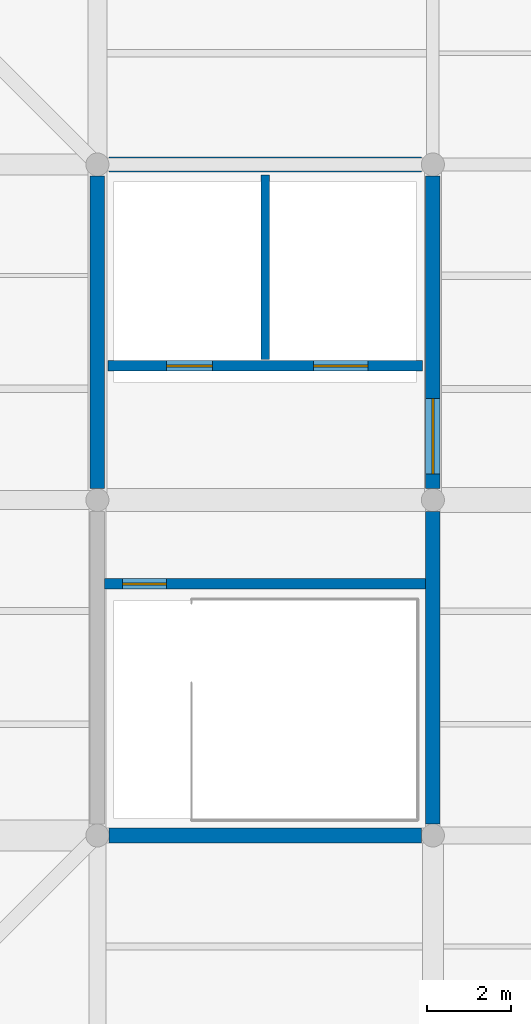
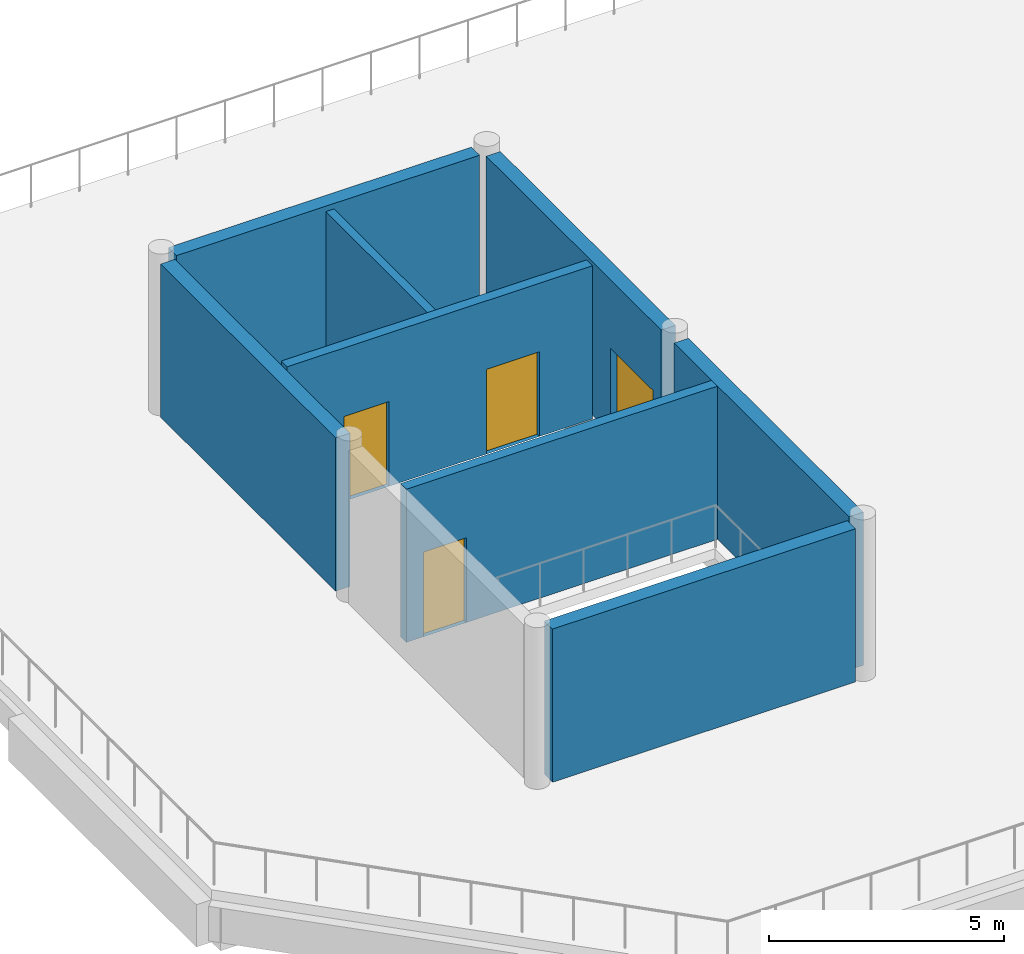
# One storey, part 76 of 84: 8 walls, 4 doors, 4 openings.
"""IFC4 building model written with IfcOpenShell, lengths in metres."""

from ifc_helpers import new_model, si_unit, direction, frame, frame_2d, origin, place, context, subcontext, project, spatial, rectangle, extrude, material, layer, layer_set, type_object, element, fill, save


model = new_model("IFC4")

# Units and contexts
model_context = context("Model", 3, precision=1e-05, world=origin(), true_north=direction((0.0, 1.0)))
body_context = subcontext(model_context, "Body", "Model", "MODEL_VIEW")
ifc_project = project(units=[si_unit("LENGTHUNIT", "METRE"), si_unit("AREAUNIT", "SQUARE_METRE"), si_unit("VOLUMEUNIT", "CUBIC_METRE"), si_unit("PLANEANGLEUNIT", "RADIAN"), si_unit("MASSUNIT", "GRAM", prefix="KILO")], contexts=[model_context])

# Site, building, storey
site_placement = place(None, origin())
site = spatial("IfcSite", under=ifc_project, at=site_placement, CompositionType="ELEMENT")
building_placement = place(site_placement, origin())
building = spatial("IfcBuilding", under=site, at=building_placement, Name="Tenunan Teduh Sports Hall", CompositionType="ELEMENT")
storey_placement = place(building_placement, frame((0.0, 0.0, 10.800048828125)))
storey = spatial("IfcBuildingStorey", under=building, at=storey_placement, Name="L02", CompositionType="ELEMENT", Elevation=10.800048828125)

# Wall, opening, door
ifc_material_1 = material(Name="Concrete C40/50", Category="concrete")
ifc_layer_1 = layer(ifc_material_1, 0.25)
ifc_layer_set_1 = layer_set([ifc_layer_1], Name="Concrete C40/50")
wall_type_1 = type_object("IfcWallType", Name="WL-COR-250", PredefinedType="SOLIDWALL", material=ifc_layer_set_1)
wall_1_placement = place(storey_placement, frame((106.175048828125, 100.0, 0.0), z_axis=(0.0, 0.0, 1.0), x_axis=(1.0, 0.0, 0.0)))
wall_1 = element("IfcWall", 1, at=wall_1_placement, inside=storey, type_object=wall_type_1, Name="WL-COR-L02-187", PredefinedType="SOLIDWALL", context=body_context, shape_type="SweptSolid", body=[
    extrude(rectangle(XDim=7.64990234375, YDim=0.25, at=frame_2d((3.824951171875, 0.0))), origin(), (0.0, 0.0, 1.0), 3.97998046875),
])
opening_1_placement = place(wall_1_placement, frame((0.425048828125, 0.0, 0.0)))
opening_1 = element("IfcOpeningElement", 2, at=opening_1_placement, cuts=wall_1, Name="Opening FD-02", PredefinedType="OPENING", context=body_context, shape_type="SweptSolid", body=[
    extrude(rectangle(XDim=1.050048828125, YDim=2.199951171875, at=frame_2d((0.52490234375, 1.10009765625))), frame((0.0, 0.135009765625, 0.0), z_axis=(0.0, -1.0, 0.0), x_axis=(1.0, 0.0, 0.0)), (0.0, 0.0, 1.0), 0.27001953125),
])
ifc_material_2 = material(Name="Fire-rated steel leaf and frame", Category="steel")
door_type_1 = type_object("IfcDoorType", Name="FDR-02", OperationType="SINGLE_SWING_RIGHT", PredefinedType="DOOR", material=ifc_material_2)
door_1_placement = place(opening_1_placement, frame((1.050048828125, 0.0, 0.0), z_axis=(0.0, 0.0, 1.0), x_axis=(-1.0, 0.0, 0.0)))
door_1 = element("IfcDoor", 3, at=door_1_placement, inside=storey, type_object=door_type_1, Name="DR-INT-L02-074", OperationType="SINGLE_SWING_RIGHT", OverallHeight=2.199951171875, OverallWidth=1.050048828125, PredefinedType="DOOR", context=body_context, shape_type="SweptSolid", body=[
    extrude(rectangle(XDim=1.050048828125, YDim=2.199951171875, at=frame_2d((0.52490234375, 1.10009765625))), frame((0.0, 0.02490234375, 0.0), z_axis=(0.0, -1.0, 0.0), x_axis=(1.0, 0.0, 0.0)), (0.0, 0.0, 1.0), 0.050048828125),
])
fill(opening_1, door_1)

# Wall, openings, doors
wall_2_placement = place(storey_placement, frame((106.25, 105.199951171875, 0.0), z_axis=(0.0, 0.0, 1.0), x_axis=(1.0, 0.0, 0.0)))
wall_2 = element("IfcWall", 4, at=wall_2_placement, inside=storey, type_object=wall_type_1, Name="WL-COR-L02-188", PredefinedType="SOLIDWALL", context=body_context, shape_type="SweptSolid", body=[
    extrude(rectangle(XDim=7.5, YDim=0.25, at=frame_2d((3.75, 0.0))), origin(), (0.0, 0.0, 1.0), 3.97998046875),
])
opening_2_placement = place(wall_2_placement, frame((1.39990234375, 0.0, 0.0)))
opening_2 = element("IfcOpeningElement", 5, at=opening_2_placement, cuts=wall_2, Name="Opening LD-1", PredefinedType="OPENING", context=body_context, shape_type="SweptSolid", body=[
    extrude(rectangle(XDim=1.10009765625, YDim=2.199951171875, at=frame_2d((0.550048828125, 1.10009765625))), frame((0.0, 0.135009765625, 0.0), z_axis=(0.0, -1.0, 0.0), x_axis=(1.0, 0.0, 0.0)), (0.0, 0.0, 1.0), 0.27001953125),
])
opening_3_placement = place(wall_2_placement, frame((4.89990234375, 0.0, 0.0)))
opening_3 = element("IfcOpeningElement", 6, at=opening_3_placement, cuts=wall_2, Name="Opening LD-2", PredefinedType="OPENING", context=body_context, shape_type="SweptSolid", body=[
    extrude(rectangle(XDim=1.300048828125, YDim=2.199951171875, at=frame_2d((0.64990234375, 1.10009765625))), frame((0.0, 0.135009765625, 0.0), z_axis=(0.0, -1.0, 0.0), x_axis=(1.0, 0.0, 0.0)), (0.0, 0.0, 1.0), 0.27001953125),
])
ifc_material_3 = material(Name="Brushed stainless steel landing doors", Category="steel")
door_type_2 = type_object("IfcDoorType", Name="LDR-01", OperationType="DOUBLE_DOOR_SLIDING", PredefinedType="DOOR", material=ifc_material_3)
door_2_placement = place(opening_2_placement, origin())
door_2 = element("IfcDoor", 7, at=door_2_placement, inside=storey, type_object=door_type_2, Name="Lift Landing Door LD-30", OperationType="DOUBLE_DOOR_SLIDING", OverallHeight=2.199951171875, OverallWidth=1.10009765625, PredefinedType="DOOR", context=body_context, shape_type="SweptSolid", body=[
    extrude(rectangle(XDim=1.10009765625, YDim=2.199951171875, at=frame_2d((0.550048828125, 1.10009765625))), frame((0.0, 0.02490234375, 0.0), z_axis=(0.0, -1.0, 0.0), x_axis=(1.0, 0.0, 0.0)), (0.0, 0.0, 1.0), 0.050048828125),
])
fill(opening_2, door_2)
ifc_material_4 = material(Name="Fire-fighting lift stainless landing doors")
door_type_3 = type_object("IfcDoorType", Name="LDR-02", OperationType="DOUBLE_DOOR_SLIDING", PredefinedType="DOOR", material=ifc_material_4)
door_3_placement = place(opening_3_placement, origin())
door_3 = element("IfcDoor", 8, at=door_3_placement, inside=storey, type_object=door_type_3, Name="Lift Landing Door LD-31", OperationType="DOUBLE_DOOR_SLIDING", OverallHeight=2.199951171875, OverallWidth=1.300048828125, PredefinedType="DOOR", context=body_context, shape_type="SweptSolid", body=[
    extrude(rectangle(XDim=1.300048828125, YDim=2.199951171875, at=frame_2d((0.64990234375, 1.10009765625))), frame((0.0, 0.02490234375, 0.0), z_axis=(0.0, -1.0, 0.0), x_axis=(1.0, 0.0, 0.0)), (0.0, 0.0, 1.0), 0.050048828125),
])
fill(opening_3, door_3)

# Walls
ifc_material_5 = material(Name="Autoclaved aerated concrete blockwork", Category="masonry")
ifc_layer_2 = layer(ifc_material_5, 0.199951171875)
ifc_layer_set_2 = layer_set([ifc_layer_2], Name="Autoclaved aerated concrete blockwork")
wall_type_2 = type_object("IfcWallType", Name="WL-PRT-200", PredefinedType="PARTITIONING", material=ifc_layer_set_2)
wall_3_placement = place(storey_placement, frame((110.0, 105.35009765625, 0.0), z_axis=(0.0, 0.0, 1.0), x_axis=(0.0, 1.0, 0.0)))
element("IfcWall", 9, at=wall_3_placement, inside=storey, type_object=wall_type_2, Name="WL-PRT-L02-189", PredefinedType="PARTITIONING", context=body_context, shape_type="SweptSolid", body=[
    extrude(rectangle(XDim=4.39990234375, YDim=0.199951171875, at=frame_2d((2.199951171875, 0.0))), origin(), (0.0, 0.0, 1.0), 3.89990234375),
])
ifc_material_6 = material(Name="Concrete C40/50", Category="concrete")
ifc_layer_3 = layer(ifc_material_6, 0.35009765625)
ifc_layer_set_3 = layer_set([ifc_layer_3], Name="Concrete C40/50")
wall_type_3 = type_object("IfcWallType", Name="WL-SHR-350", PredefinedType="SHEAR", material=ifc_layer_set_3)
for number, where, z_axis, x_axis, name in (
    (10, (106.27490234375, 94.0, 0.0), (0.0, 0.0, 1.0), (1.0, 0.0, 0.0), "WL-COR-L02-181"),
    (11, (106.27490234375, 110.0, 0.0), (0.0, 0.0, 1.0), (1.0, 0.0, 0.0), "WL-COR-L02-182"),
    (12, (106.0, 102.27490234375, 0.0), (0.0, 0.0, 1.0), (0.0, 1.0, 0.0), "WL-COR-L02-184"),
    (13, (114.0, 94.27490234375, 0.0), (0.0, 0.0, 1.0), (0.0, 1.0, 0.0), "WL-COR-L02-185"),
):
    element("IfcWall", number, at=place(storey_placement, frame(where, z_axis=z_axis, x_axis=x_axis)), inside=storey, type_object=wall_type_3, Name=name, PredefinedType="SHEAR", context=body_context, shape_type="SweptSolid", body=[
        extrude(rectangle(XDim=7.4501953125, YDim=0.35009765625, at=frame_2d((3.72509765625, 0.0))), origin(), (0.0, 0.0, 1.0), 3.97998046875),
    ])

# Wall, opening, door
wall_4_placement = place(storey_placement, frame((114.0, 102.27490234375, 0.0), z_axis=(0.0, 0.0, 1.0), x_axis=(0.0, 1.0, 0.0)))
wall_4 = element("IfcWall", 14, at=wall_4_placement, inside=storey, type_object=wall_type_3, Name="WL-COR-L02-186", PredefinedType="SHEAR", context=body_context, shape_type="SweptSolid", body=[
    extrude(rectangle(XDim=7.4501953125, YDim=0.35009765625, at=frame_2d((3.72509765625, 0.0))), origin(), (0.0, 0.0, 1.0), 3.97998046875),
])
opening_4_placement = place(wall_4_placement, frame((0.35009765625, 0.0, 0.0)))
opening_4 = element("IfcOpeningElement", 15, at=opening_4_placement, cuts=wall_4, Name="Opening FD-03", PredefinedType="OPENING", context=body_context, shape_type="SweptSolid", body=[
    extrude(rectangle(XDim=1.800048828125, YDim=2.199951171875, at=frame_2d((0.89990234375, 1.10009765625))), frame((0.0, 0.18505859375, 0.0), z_axis=(0.0, -1.0, 0.0), x_axis=(1.0, 0.0, 0.0)), (0.0, 0.0, 1.0), 0.3701171875),
])
ifc_material_7 = material(Name="Fire-rated hardwood pair", Category="wood")
door_type_4 = type_object("IfcDoorType", Name="FDR-03", OperationType="DOUBLE_DOOR_SINGLE_SWING", PredefinedType="DOOR", material=ifc_material_7)
door_4_placement = place(opening_4_placement, frame((1.800048828125, 0.0, 0.0), z_axis=(0.0, 0.0, 1.0), x_axis=(-1.0, 0.0, 0.0)))
door_4 = element("IfcDoor", 16, at=door_4_placement, inside=storey, type_object=door_type_4, Name="DR-INT-L02-073", OperationType="DOUBLE_DOOR_SINGLE_SWING", OverallHeight=2.199951171875, OverallWidth=1.800048828125, PredefinedType="DOOR", context=body_context, shape_type="SweptSolid", body=[
    extrude(rectangle(XDim=1.800048828125, YDim=2.199951171875, at=frame_2d((0.89990234375, 1.10009765625))), frame((0.0, 0.02490234375, 0.0), z_axis=(0.0, -1.0, 0.0), x_axis=(1.0, 0.0, 0.0)), (0.0, 0.0, 1.0), 0.050048828125),
])
fill(opening_4, door_4)

save(model, "model.ifc")
